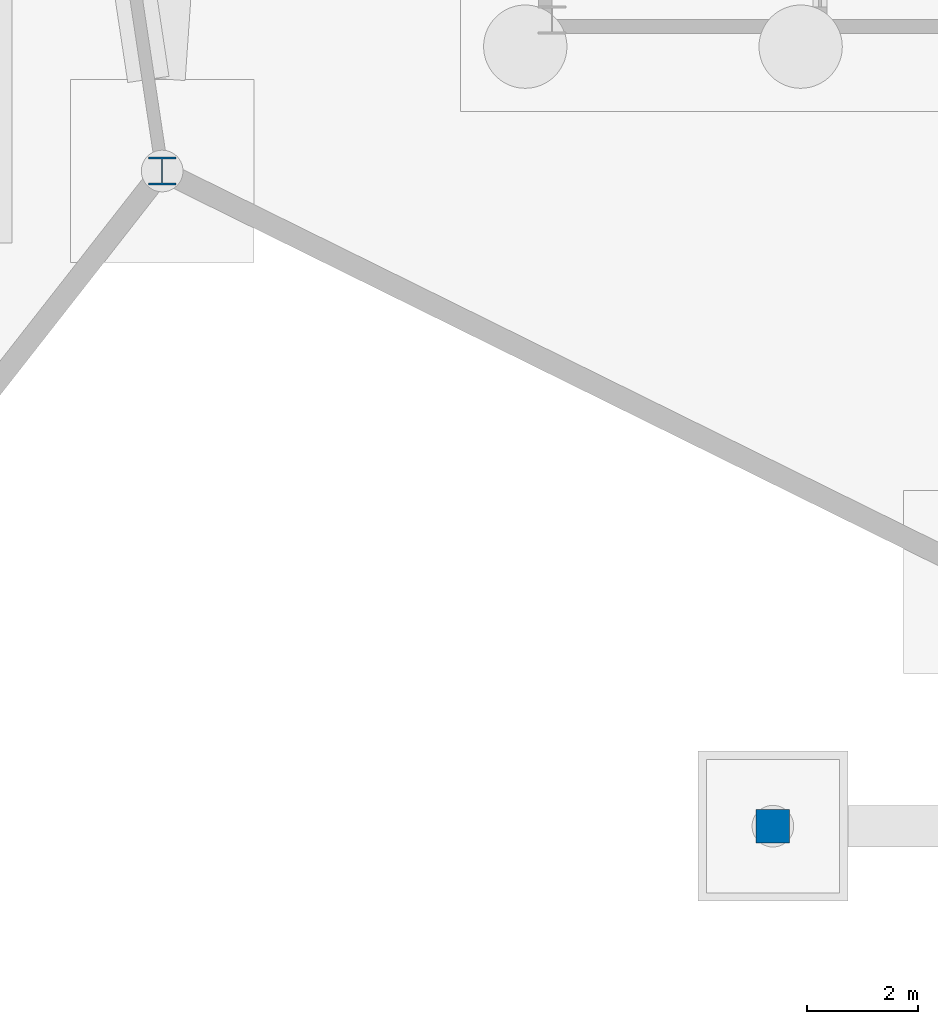
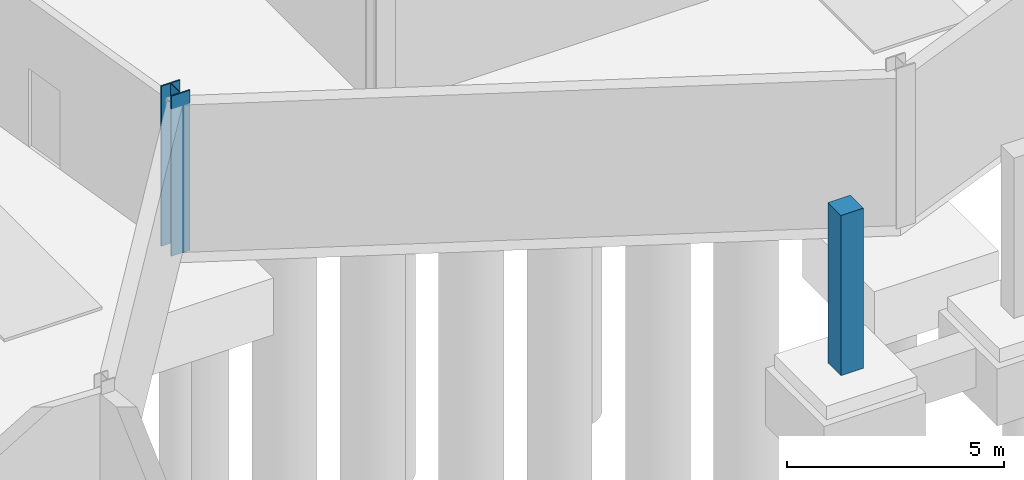
# One storey, part 8 of 37: 2 columns.
"""IFC4 building model written with IfcOpenShell, lengths in metres."""

import ifcopenshell
import ifcopenshell.guid

model = None  # the IFC model being written
_history = None  # IfcOwnerHistory: only IFC2X3 demands one
_inside = {}  # id of a spatial element -> (the spatial element, [elements in it])
_under = {}  # id of a project, library or spatial element -> (it, [spatial elements below it])
_declared = {}  # id of a project -> (the project, [libraries it declares])
_typed = {}  # id of a type object -> (the type object, [elements of that type])
_made_of = {}  # id of a material, layer set ... -> (it, [elements and type objects made of it])


def new_model(schema):
    """Start an empty IFC model of exactly this schema.

    Asked for "IFC4X3", IfcOpenShell would pick the latest addendum, in which some entities
    have other attributes; the version numbers below select the first issue.
    IFC2X3 requires an IfcOwnerHistory on every rooted entity: one is made here for all.
    """
    global model, _history
    if schema == "IFC4X3":
        model = ifcopenshell.file(schema_version=(4, 3, 0, 0))
    else:
        model = ifcopenshell.file(schema=schema)
    _inside.clear()
    _under.clear()
    _declared.clear()
    _typed.clear()
    _made_of.clear()
    _history = None
    if model.schema == "IFC2X3":
        org = make("IfcOrganization", Name="unknown")
        user = make(
            "IfcPersonAndOrganization",
            ThePerson=make("IfcPerson", FamilyName="unknown"),
            TheOrganization=org,
        )
        app = make(
            "IfcApplication",
            ApplicationDeveloper=org,
            Version="unknown",
            ApplicationFullName="unknown",
            ApplicationIdentifier="unknown",
        )
        _history = make(
            "IfcOwnerHistory",
            OwningUser=user,
            OwningApplication=app,
            ChangeAction="ADDED",
            CreationDate=0,
        )
    return model


def make(cls, **values):
    """One entity of the class cls with the attributes given. An attribute that is None is left unset."""
    return model.create_entity(
        cls, **{name: value for name, value in values.items() if value is not None}
    )


def rooted(cls, **values):
    """An entity with a GlobalId (a new one), such as an element, a storey or a relation."""
    return make(cls, GlobalId=ifcopenshell.guid.new(), OwnerHistory=_history, **values)


def si_unit(unit_type, name, prefix=None):
    """IfcSIUnit, for example si_unit("LENGTHUNIT", "METRE", prefix="MILLI")."""
    return make("IfcSIUnit", UnitType=unit_type, Prefix=prefix, Name=name)


def assignment(units):
    """IfcUnitAssignment: the units of a project."""
    return None if units is None else make("IfcUnitAssignment", Units=units)


def point(xyz):
    """IfcCartesianPoint."""
    return None if xyz is None else make("IfcCartesianPoint", Coordinates=xyz)


def direction(xyz):
    """IfcDirection."""
    return None if xyz is None else make("IfcDirection", DirectionRatios=xyz)


def frame(location, z_axis=None, x_axis=None):
    """IfcAxis2Placement3D, a coordinate frame: its origin and axes. An axis left out is left unset."""
    return make(
        "IfcAxis2Placement3D",
        Location=point(location),
        Axis=direction(z_axis),
        RefDirection=direction(x_axis),
    )


def frame_2d(location, x_axis=None):
    """IfcAxis2Placement2D, a coordinate frame in the plane: its origin and x axis."""
    return make(
        "IfcAxis2Placement2D", Location=point(location), RefDirection=direction(x_axis)
    )


def origin():
    """The frame at (0, 0, 0) with its axes left unset."""
    return frame((0.0, 0.0, 0.0))


def origin_2d():
    """The frame at (0, 0) in the plane with its x axis left unset."""
    return frame_2d((0.0, 0.0))


def place(relative_to, where):
    """IfcLocalPlacement: puts the frame where relative to a parent placement (None: the world)."""
    return make(
        "IfcLocalPlacement", PlacementRelTo=relative_to, RelativePlacement=where
    )


def context(
    kind, dimensions, precision=None, world=None, true_north=None, identifier=None
):
    """IfcGeometricRepresentationContext, for example the 3D "Model" context."""
    return make(
        "IfcGeometricRepresentationContext",
        ContextIdentifier=identifier,
        ContextType=kind,
        CoordinateSpaceDimension=dimensions,
        Precision=precision,
        WorldCoordinateSystem=world,
        TrueNorth=true_north,
    )


def subcontext(parent, identifier, kind, view, scale=None):
    """IfcGeometricRepresentationSubContext, for example "Body" below "Model"."""
    return make(
        "IfcGeometricRepresentationSubContext",
        ContextIdentifier=identifier,
        ContextType=kind,
        ParentContext=parent,
        TargetScale=scale,
        TargetView=view,
    )


def project(units=None, contexts=None):
    """IfcProject with its units and contexts."""
    return rooted(
        "IfcProject",
        Name="project",
        RepresentationContexts=contexts,
        UnitsInContext=assignment(units),
    )


def spatial(cls, under=None, at=None, **own):
    """A site, building, storey or space (cls), placed at a placement, below another one or the project."""
    s = rooted(cls, ObjectPlacement=at, **own)
    if under is not None:
        _under.setdefault(under.id(), (under, []))[1].append(s)
    return s


def profile(cls, at=None, kind="AREA", **sizes):
    """A parametric profile (cls). Its sizes go by their IFC names, for example OverallWidth=200.0."""
    return make(cls, ProfileType=kind, Position=at, **sizes)


def rectangle(**sizes):
    """IfcRectangleProfileDef."""
    return profile("IfcRectangleProfileDef", **sizes)


def i_section(**sizes):
    """IfcIShapeProfileDef."""
    return profile("IfcIShapeProfileDef", **sizes)


def extrude(swept, where, along, depth):
    """IfcExtrudedAreaSolid: the profile swept, set in the frame where, extruded along a direction by depth."""
    return make(
        "IfcExtrudedAreaSolid",
        SweptArea=swept,
        Position=where,
        ExtrudedDirection=direction(along),
        Depth=depth,
    )


def shape(context_of_items, identifier, shape_type, items):
    """IfcShapeRepresentation: the items that make up one representation, for example the "Body"."""
    return make(
        "IfcShapeRepresentation",
        ContextOfItems=context_of_items,
        RepresentationIdentifier=identifier,
        RepresentationType=shape_type,
        Items=items,
    )


def material(Name=None, Category=None):
    """IfcMaterial."""
    return make("IfcMaterial", Name=Name, Category=Category)


def material_profile(
    of_material, cross_section, Name=None, Category=None, Priority=None
):
    """IfcMaterialProfile: a cross section and its material."""
    return make(
        "IfcMaterialProfile",
        Name=Name,
        Material=of_material,
        Profile=cross_section,
        Priority=Priority,
        Category=Category,
    )


def profile_set(profiles, Name=None, composite=None):
    """IfcMaterialProfileSet."""
    return make(
        "IfcMaterialProfileSet",
        Name=Name,
        MaterialProfiles=profiles,
        CompositeProfile=composite,
    )


def made_of(thing, what):
    """Note that an element or type object is made of a material, layer set ...; save() writes the relation."""
    if what is not None:
        _made_of.setdefault(what.id(), (what, []))[1].append(thing)
    return thing


def type_object(cls, material=None, **own):
    """A type object (cls), such as IfcWallType, which elements share."""
    return made_of(rooted(cls, **own), material)


def element(
    cls,
    number,
    at=None,
    inside=None,
    cuts=None,
    type_object=None,
    material=None,
    context=None,
    identifier="Body",
    shape_type=None,
    held_by="IfcProductDefinitionShape",
    body=None,
    shapes=None,
    **own,
):
    """One element of the class cls, such as IfcWall. Its Tag is "e" and its number.

    at: its placement. inside: the storey or other place that contains it. cuts: it is an
    opening in that element (IfcRelVoidsElement). A single representation is given by context,
    identifier, shape_type and body (its items); several are given by shapes. held_by: the class
    of the entity that holds the representations. save() writes the other relations.
    """
    e = rooted(cls, Tag="e%d" % number, ObjectPlacement=at, **own)
    if body is not None:
        shapes = [shape(context, identifier, shape_type, body)]
    if shapes is not None:
        e.Representation = make(held_by, Representations=shapes)
    if inside is not None:
        _inside.setdefault(inside.id(), (inside, []))[1].append(e)
    if cuts is not None:
        rooted(
            "IfcRelVoidsElement", RelatingBuildingElement=cuts, RelatedOpeningElement=e
        )
    if type_object is not None:
        _typed.setdefault(type_object.id(), (type_object, []))[1].append(e)
    return made_of(e, material)


def aggregate(whole, parts):
    """IfcRelAggregates: a whole, such as a stair, and the parts it consists of."""
    return rooted("IfcRelAggregates", RelatingObject=whole, RelatedObjects=parts)


def save(model, path):
    """Write the relations noted so far, then the file.

    IfcRelAggregates (storeys below a building ...), IfcRelContainedInSpatialStructure (elements
    in a storey), IfcRelDefinesByType, IfcRelAssociatesMaterial and IfcRelDeclares: one each for
    every whole, place, type object, material and project.
    """
    for whole, parts in _under.values():
        aggregate(whole, parts)
    for where, things in _inside.values():
        rooted(
            "IfcRelContainedInSpatialStructure",
            RelatedElements=things,
            RelatingStructure=where,
        )
    for kind, things in _typed.values():
        rooted("IfcRelDefinesByType", RelatedObjects=things, RelatingType=kind)
    for what, things in _made_of.values():
        rooted("IfcRelAssociatesMaterial", RelatedObjects=things, RelatingMaterial=what)
    for by, libraries in _declared.values():
        rooted("IfcRelDeclares", RelatingContext=by, RelatedDefinitions=libraries)
    model.write(path)


model = new_model("IFC4")

# Units and contexts
model_context = context("Model", 3, precision=1e-05, world=origin(), true_north=direction((0.0, 1.0)))
body_context = subcontext(model_context, "Body", "Model", "MODEL_VIEW")
ifc_project = project(units=[si_unit("LENGTHUNIT", "METRE"), si_unit("AREAUNIT", "SQUARE_METRE"), si_unit("VOLUMEUNIT", "CUBIC_METRE"), si_unit("PLANEANGLEUNIT", "RADIAN"), si_unit("MASSUNIT", "GRAM", prefix="KILO")], contexts=[model_context])

# Site, building, storey
site_placement = place(None, origin())
site = spatial("IfcSite", under=ifc_project, at=site_placement, CompositionType="ELEMENT")
building_placement = place(site_placement, origin())
building = spatial("IfcBuilding", under=site, at=building_placement, Name="Tameran Prism Museum", CompositionType="ELEMENT")
storey_placement = place(building_placement, frame((0.0, 0.0, -4.5)))
storey = spatial("IfcBuildingStorey", under=building, at=storey_placement, Name="B1", CompositionType="ELEMENT", Elevation=-4.5)

# Columns
ifc_material_1 = material(Name="Concrete N50 (50 MPa)", Category="concrete")
ifc_material_profile_1 = material_profile(ifc_material_1, rectangle(XDim=0.60009765625, YDim=0.60009765625, at=origin_2d()))
ifc_profile_set_1 = profile_set([ifc_material_profile_1])
column_type_1 = type_object("IfcColumnType", Name="COL-RC600", PredefinedType="COLUMN", material=ifc_profile_set_1)
column_1_placement = place(storey_placement, frame((62.0, 18.39990234375, 0.0), z_axis=(0.0, 0.0, 1.0), x_axis=(1.0, 0.0, 0.0)))
element("IfcColumn", 1, at=column_1_placement, inside=storey, type_object=column_type_1, Name="Column CP-01 B1", PredefinedType="COLUMN", context=body_context, shape_type="SweptSolid", body=[
    extrude(rectangle(XDim=0.60009765625, YDim=0.60009765625, at=origin_2d()), origin(), (0.0, 0.0, 1.0), 4.5),
])
ifc_material_2 = material(Name="Steel Grade 350 (350 MPa)", Category="steel")
ifc_material_profile_2 = material_profile(ifc_material_2, i_section(OverallWidth=0.5, OverallDepth=0.5, WebThickness=0.02197265625, FlangeThickness=0.035888671875, at=origin_2d()))
ifc_profile_set_2 = profile_set([ifc_material_profile_2])
column_type_2 = type_object("IfcColumnType", Name="COL-WC500", PredefinedType="COLUMN", material=ifc_profile_set_2)
column_2_placement = place(storey_placement, frame((51.0, 30.199951171875, 0.0), z_axis=(0.0, 0.0, 1.0), x_axis=(1.0, 0.0, 0.0)))
element("IfcColumn", 2, at=column_2_placement, inside=storey, type_object=column_type_2, Name="Column CV-27 B1", PredefinedType="COLUMN", context=body_context, shape_type="SweptSolid", body=[
    extrude(i_section(OverallWidth=0.5, OverallDepth=0.5, WebThickness=0.02197265625, FlangeThickness=0.035888671875, at=origin_2d()), origin(), (0.0, 0.0, 1.0), 4.5),
])

save(model, "model.ifc")
